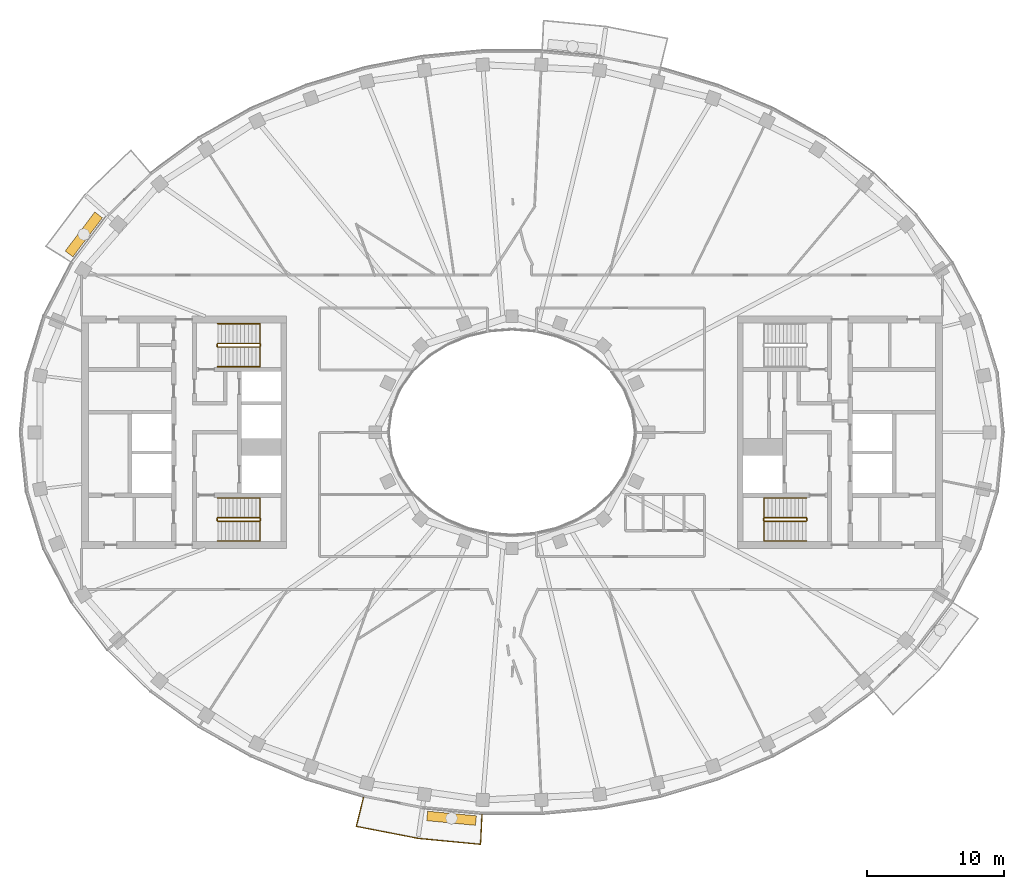
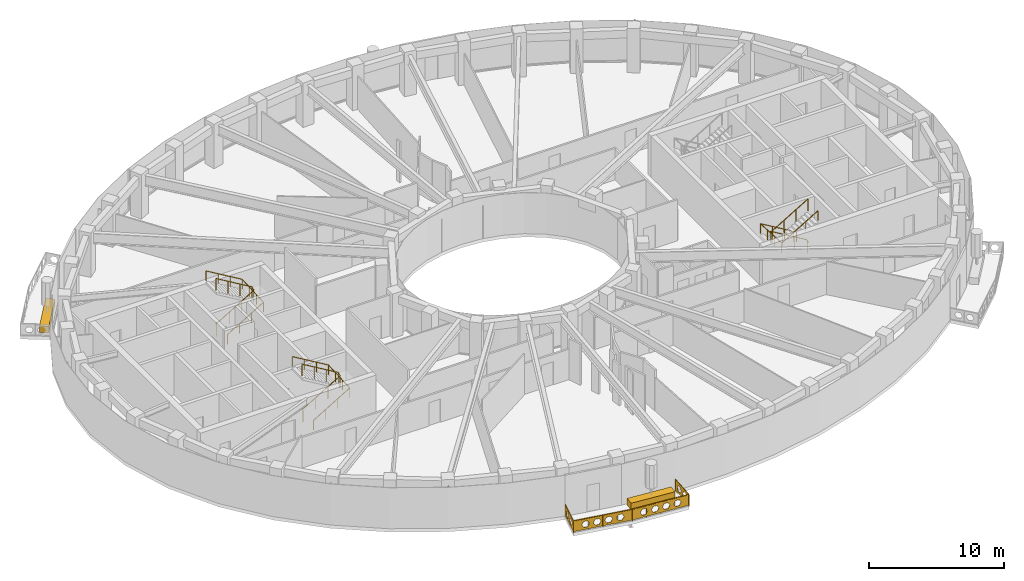
# One storey, part 14 of 16: 7 railings, 2 coverings.
"""IFC4 building model written with IfcOpenShell, lengths in metres."""

import ifcopenshell
import ifcopenshell.guid

model = None  # the IFC model being written
_history = None  # IfcOwnerHistory: only IFC2X3 demands one
_inside = {}  # id of a spatial element -> (the spatial element, [elements in it])
_under = {}  # id of a project, library or spatial element -> (it, [spatial elements below it])
_declared = {}  # id of a project -> (the project, [libraries it declares])
_typed = {}  # id of a type object -> (the type object, [elements of that type])
_made_of = {}  # id of a material, layer set ... -> (it, [elements and type objects made of it])


def new_model(schema):
    """Start an empty IFC model of exactly this schema.

    Asked for "IFC4X3", IfcOpenShell would pick the latest addendum, in which some entities
    have other attributes; the version numbers below select the first issue.
    IFC2X3 requires an IfcOwnerHistory on every rooted entity: one is made here for all.
    """
    global model, _history
    if schema == "IFC4X3":
        model = ifcopenshell.file(schema_version=(4, 3, 0, 0))
    else:
        model = ifcopenshell.file(schema=schema)
    _inside.clear()
    _under.clear()
    _declared.clear()
    _typed.clear()
    _made_of.clear()
    _history = None
    if model.schema == "IFC2X3":
        org = make("IfcOrganization", Name="unknown")
        user = make(
            "IfcPersonAndOrganization",
            ThePerson=make("IfcPerson", FamilyName="unknown"),
            TheOrganization=org,
        )
        app = make(
            "IfcApplication",
            ApplicationDeveloper=org,
            Version="unknown",
            ApplicationFullName="unknown",
            ApplicationIdentifier="unknown",
        )
        _history = make(
            "IfcOwnerHistory",
            OwningUser=user,
            OwningApplication=app,
            ChangeAction="ADDED",
            CreationDate=0,
        )
    return model


def make(cls, **values):
    """One entity of the class cls with the attributes given. An attribute that is None is left unset."""
    return model.create_entity(
        cls, **{name: value for name, value in values.items() if value is not None}
    )


def rooted(cls, **values):
    """An entity with a GlobalId (a new one), such as an element, a storey or a relation."""
    return make(cls, GlobalId=ifcopenshell.guid.new(), OwnerHistory=_history, **values)


def si_unit(unit_type, name, prefix=None):
    """IfcSIUnit, for example si_unit("LENGTHUNIT", "METRE", prefix="MILLI")."""
    return make("IfcSIUnit", UnitType=unit_type, Prefix=prefix, Name=name)


def assignment(units):
    """IfcUnitAssignment: the units of a project."""
    return None if units is None else make("IfcUnitAssignment", Units=units)


def point(xyz):
    """IfcCartesianPoint."""
    return None if xyz is None else make("IfcCartesianPoint", Coordinates=xyz)


def direction(xyz):
    """IfcDirection."""
    return None if xyz is None else make("IfcDirection", DirectionRatios=xyz)


def frame(location, z_axis=None, x_axis=None):
    """IfcAxis2Placement3D, a coordinate frame: its origin and axes. An axis left out is left unset."""
    return make(
        "IfcAxis2Placement3D",
        Location=point(location),
        Axis=direction(z_axis),
        RefDirection=direction(x_axis),
    )


def frame_2d(location, x_axis=None):
    """IfcAxis2Placement2D, a coordinate frame in the plane: its origin and x axis."""
    return make(
        "IfcAxis2Placement2D", Location=point(location), RefDirection=direction(x_axis)
    )


def origin():
    """The frame at (0, 0, 0) with its axes left unset."""
    return frame((0.0, 0.0, 0.0))


def origin_2d():
    """The frame at (0, 0) in the plane with its x axis left unset."""
    return frame_2d((0.0, 0.0))


def place(relative_to, where):
    """IfcLocalPlacement: puts the frame where relative to a parent placement (None: the world)."""
    return make(
        "IfcLocalPlacement", PlacementRelTo=relative_to, RelativePlacement=where
    )


def context(
    kind, dimensions, precision=None, world=None, true_north=None, identifier=None
):
    """IfcGeometricRepresentationContext, for example the 3D "Model" context."""
    return make(
        "IfcGeometricRepresentationContext",
        ContextIdentifier=identifier,
        ContextType=kind,
        CoordinateSpaceDimension=dimensions,
        Precision=precision,
        WorldCoordinateSystem=world,
        TrueNorth=true_north,
    )


def subcontext(parent, identifier, kind, view, scale=None):
    """IfcGeometricRepresentationSubContext, for example "Body" below "Model"."""
    return make(
        "IfcGeometricRepresentationSubContext",
        ContextIdentifier=identifier,
        ContextType=kind,
        ParentContext=parent,
        TargetScale=scale,
        TargetView=view,
    )


def project(units=None, contexts=None):
    """IfcProject with its units and contexts."""
    return rooted(
        "IfcProject",
        Name="project",
        RepresentationContexts=contexts,
        UnitsInContext=assignment(units),
    )


def spatial(cls, under=None, at=None, **own):
    """A site, building, storey or space (cls), placed at a placement, below another one or the project."""
    s = rooted(cls, ObjectPlacement=at, **own)
    if under is not None:
        _under.setdefault(under.id(), (under, []))[1].append(s)
    return s


def polyline(points):
    """IfcPolyline through the points."""
    return make("IfcPolyline", Points=[point(p) for p in points])


def profile(cls, at=None, kind="AREA", **sizes):
    """A parametric profile (cls). Its sizes go by their IFC names, for example OverallWidth=200.0."""
    return make(cls, ProfileType=kind, Position=at, **sizes)


def rectangle(**sizes):
    """IfcRectangleProfileDef."""
    return profile("IfcRectangleProfileDef", **sizes)


def outline(outer, holes=None, kind="AREA"):
    """IfcArbitraryClosedProfileDef: a profile drawn as a closed curve; with holes, ...WithVoids."""
    if holes is None:
        return make("IfcArbitraryClosedProfileDef", ProfileType=kind, OuterCurve=outer)
    return make(
        "IfcArbitraryProfileDefWithVoids",
        ProfileType=kind,
        OuterCurve=outer,
        InnerCurves=holes,
    )


def extrude(swept, where, along, depth):
    """IfcExtrudedAreaSolid: the profile swept, set in the frame where, extruded along a direction by depth."""
    return make(
        "IfcExtrudedAreaSolid",
        SweptArea=swept,
        Position=where,
        ExtrudedDirection=direction(along),
        Depth=depth,
    )


def shape(context_of_items, identifier, shape_type, items):
    """IfcShapeRepresentation: the items that make up one representation, for example the "Body"."""
    return make(
        "IfcShapeRepresentation",
        ContextOfItems=context_of_items,
        RepresentationIdentifier=identifier,
        RepresentationType=shape_type,
        Items=items,
    )


def material(Name=None, Category=None):
    """IfcMaterial."""
    return make("IfcMaterial", Name=Name, Category=Category)


def made_of(thing, what):
    """Note that an element or type object is made of a material, layer set ...; save() writes the relation."""
    if what is not None:
        _made_of.setdefault(what.id(), (what, []))[1].append(thing)
    return thing


def type_object(cls, material=None, **own):
    """A type object (cls), such as IfcWallType, which elements share."""
    return made_of(rooted(cls, **own), material)


def element(
    cls,
    number,
    at=None,
    inside=None,
    cuts=None,
    type_object=None,
    material=None,
    context=None,
    identifier="Body",
    shape_type=None,
    held_by="IfcProductDefinitionShape",
    body=None,
    shapes=None,
    **own,
):
    """One element of the class cls, such as IfcWall. Its Tag is "e" and its number.

    at: its placement. inside: the storey or other place that contains it. cuts: it is an
    opening in that element (IfcRelVoidsElement). A single representation is given by context,
    identifier, shape_type and body (its items); several are given by shapes. held_by: the class
    of the entity that holds the representations. save() writes the other relations.
    """
    e = rooted(cls, Tag="e%d" % number, ObjectPlacement=at, **own)
    if body is not None:
        shapes = [shape(context, identifier, shape_type, body)]
    if shapes is not None:
        e.Representation = make(held_by, Representations=shapes)
    if inside is not None:
        _inside.setdefault(inside.id(), (inside, []))[1].append(e)
    if cuts is not None:
        rooted(
            "IfcRelVoidsElement", RelatingBuildingElement=cuts, RelatedOpeningElement=e
        )
    if type_object is not None:
        _typed.setdefault(type_object.id(), (type_object, []))[1].append(e)
    return made_of(e, material)


def aggregate(whole, parts):
    """IfcRelAggregates: a whole, such as a stair, and the parts it consists of."""
    return rooted("IfcRelAggregates", RelatingObject=whole, RelatedObjects=parts)


def save(model, path):
    """Write the relations noted so far, then the file.

    IfcRelAggregates (storeys below a building ...), IfcRelContainedInSpatialStructure (elements
    in a storey), IfcRelDefinesByType, IfcRelAssociatesMaterial and IfcRelDeclares: one each for
    every whole, place, type object, material and project.
    """
    for whole, parts in _under.values():
        aggregate(whole, parts)
    for where, things in _inside.values():
        rooted(
            "IfcRelContainedInSpatialStructure",
            RelatedElements=things,
            RelatingStructure=where,
        )
    for kind, things in _typed.values():
        rooted("IfcRelDefinesByType", RelatedObjects=things, RelatingType=kind)
    for what, things in _made_of.values():
        rooted("IfcRelAssociatesMaterial", RelatedObjects=things, RelatingMaterial=what)
    for by, libraries in _declared.values():
        rooted("IfcRelDeclares", RelatingContext=by, RelatedDefinitions=libraries)
    model.write(path)


model = new_model("IFC4")

# Units and contexts
model_context = context("Model", 3, precision=1e-05, world=origin(), true_north=direction((0.0, 1.0)))
body_context = subcontext(model_context, "Body", "Model", "MODEL_VIEW")
ifc_project = project(units=[si_unit("LENGTHUNIT", "METRE"), si_unit("AREAUNIT", "SQUARE_METRE"), si_unit("VOLUMEUNIT", "CUBIC_METRE"), si_unit("PLANEANGLEUNIT", "RADIAN"), si_unit("MASSUNIT", "GRAM", prefix="KILO")], contexts=[model_context])

# Site, building, storey
site_placement = place(None, origin())
site = spatial("IfcSite", under=ifc_project, at=site_placement, CompositionType="ELEMENT")
building_placement = place(site_placement, origin())
building = spatial("IfcBuilding", under=site, at=building_placement, Name="Noorbagh Ring Tower", CompositionType="ELEMENT")
storey_placement = place(building_placement, frame((0.0, 0.0, 315.0)))
storey = spatial("IfcBuildingStorey", under=building, at=storey_placement, Name="L68", CompositionType="ELEMENT", Elevation=315.0)

# Railings
ifc_material_1 = material(Name="Stainless steel", Category="steel")
railing_type_1 = type_object("IfcRailingType", Name="CORE-STAIR-GUARD", PredefinedType="GUARDRAIL", material=ifc_material_1)
railing_1_placement = place(storey_placement, frame((-21.580078125, 6.300048828125, 0.0)))
element("IfcRailing", 1, at=railing_1_placement, inside=storey, type_object=railing_type_1, Name="L68 ST1 stair guard", PredefinedType="GUARDRAIL", context=body_context, shape_type="SweptSolid", body=[
    extrude(rectangle(XDim=0.048095703125, YDim=0.048095703125, at=origin_2d()), frame((0.0, 0.0, 1.076171875), z_axis=(0.0, 1.0, 0.0), x_axis=(-1.0, 0.0, 0.0)), (0.0, 0.0, 1.0), 0.14990234375),
    extrude(rectangle(XDim=0.048095703125, YDim=0.048095703125, at=origin_2d()), frame((0.0, 0.14990234375, 1.076171875), z_axis=(0.188775798145, -0.754182335027, 0.628945707965), x_axis=(0.970072785993, 0.242814311512, 0.0)), (0.0, 0.0, 1.0), 0.26513671875),
    extrude(rectangle(XDim=0.048095703125, YDim=0.048095703125, at=origin_2d()), frame((0.050048828125, -0.050048828125, 1.24267578125), z_axis=(0.859308565015, 0.0, 0.511457515432), x_axis=(0.0, 1.0, 0.0)), (0.0, 0.0, 1.0), 3.58447265625),
    extrude(rectangle(XDim=0.048095703125, YDim=0.048095703125, at=origin_2d()), frame((3.130126953125, -0.050048828125, 3.076171875), z_axis=(0.707106781187, 0.707106781187, 0.0), x_axis=(-0.707106781187, 0.707106781187, 0.0)), (0.0, 0.0, 1.0), 0.07080078125),
    extrude(rectangle(XDim=0.048095703125, YDim=0.048095703125, at=origin_2d()), frame((3.18017578125, 0.0, 3.076171875), z_axis=(0.0, 1.0, 0.0), x_axis=(-1.0, 0.0, 0.0)), (0.0, 0.0, 1.0), 0.14990234375),
    extrude(rectangle(XDim=0.048095703125, YDim=0.048095703125, at=origin_2d()), frame((3.18017578125, 0.14990234375, 3.076171875), z_axis=(-0.27628659633, 0.27628659633, 0.920506074601), x_axis=(-0.707106781187, -0.707106781187, 0.0)), (0.0, 0.0, 1.0), 0.18115234375),
    extrude(rectangle(XDim=0.048095703125, YDim=0.048095703125, at=origin_2d()), frame((3.130126953125, 0.199951171875, 3.24267578125), z_axis=(-0.859308565015, 0.0, 0.511457515432), x_axis=(0.0, -1.0, 0.0)), (0.0, 0.0, 1.0), 3.58447265625),
    extrude(rectangle(XDim=0.0419921875, YDim=0.0419921875, at=origin_2d()), origin(), (0.0, 0.0, 1.0), 1.052001953125),
    extrude(rectangle(XDim=0.0419921875, YDim=0.0419921875, at=origin_2d()), frame((1.07666015625, -0.050048828125, 0.77783203125)), (0.0, 0.0, 1.0), 1.052001953125),
    extrude(rectangle(XDim=0.0419921875, YDim=0.0419921875, at=origin_2d()), frame((2.103515625, -0.050048828125, 1.388916015625)), (0.0, 0.0, 1.0), 1.052001953125),
    extrude(rectangle(XDim=0.0419921875, YDim=0.0419921875, at=origin_2d()), frame((3.130126953125, -0.050048828125, 2.0)), (0.0, 0.0, 1.0), 1.052001953125),
    extrude(rectangle(XDim=0.0419921875, YDim=0.0419921875, at=origin_2d()), frame((3.130126953125, 0.199951171875, 2.166748046875)), (0.0, 0.0, 1.0), 1.052001953125),
    extrude(rectangle(XDim=0.0419921875, YDim=0.0419921875, at=origin_2d()), frame((2.103515625, 0.199951171875, 2.77783203125)), (0.0, 0.0, 1.0), 1.052001953125),
    extrude(rectangle(XDim=0.0419921875, YDim=0.0419921875, at=origin_2d()), frame((1.07666015625, 0.199951171875, 3.388916015625)), (0.0, 0.0, 1.0), 1.052001953125),
    extrude(rectangle(XDim=0.0419921875, YDim=0.0419921875, at=origin_2d()), frame((0.050048828125, 0.199951171875, 4.0)), (0.0, 0.0, 1.0), 1.052001953125),
])
railing_2_placement = place(storey_placement, frame((-21.580078125, -6.449951171875, 0.0)))
element("IfcRailing", 2, at=railing_2_placement, inside=storey, type_object=railing_type_1, Name="L68 ST2 stair guard", PredefinedType="GUARDRAIL", context=body_context, shape_type="SweptSolid", body=[
    extrude(rectangle(XDim=0.048095703125, YDim=0.048095703125, at=origin_2d()), frame((0.0, 0.0, 1.076171875), z_axis=(0.0, 1.0, 0.0), x_axis=(-1.0, 0.0, 0.0)), (0.0, 0.0, 1.0), 0.14990234375),
    extrude(rectangle(XDim=0.048095703125, YDim=0.048095703125, at=origin_2d()), frame((0.0, 0.14990234375, 1.076171875), z_axis=(0.188775798145, -0.754182335027, 0.628945707965), x_axis=(0.970072785993, 0.242814311512, 0.0)), (0.0, 0.0, 1.0), 0.26513671875),
    extrude(rectangle(XDim=0.048095703125, YDim=0.048095703125, at=origin_2d()), frame((0.050048828125, -0.050048828125, 1.24267578125), z_axis=(0.859308565015, 0.0, 0.511457515432), x_axis=(0.0, 1.0, 0.0)), (0.0, 0.0, 1.0), 3.58447265625),
    extrude(rectangle(XDim=0.048095703125, YDim=0.048095703125, at=origin_2d()), frame((3.130126953125, -0.050048828125, 3.076171875), z_axis=(0.707106781187, 0.707106781187, 0.0), x_axis=(-0.707106781187, 0.707106781187, 0.0)), (0.0, 0.0, 1.0), 0.07080078125),
    extrude(rectangle(XDim=0.048095703125, YDim=0.048095703125, at=origin_2d()), frame((3.18017578125, 0.0, 3.076171875), z_axis=(0.0, 1.0, 0.0), x_axis=(-1.0, 0.0, 0.0)), (0.0, 0.0, 1.0), 0.14990234375),
    extrude(rectangle(XDim=0.048095703125, YDim=0.048095703125, at=origin_2d()), frame((3.18017578125, 0.14990234375, 3.076171875), z_axis=(-0.27628659633, 0.27628659633, 0.920506074601), x_axis=(-0.707106781187, -0.707106781187, 0.0)), (0.0, 0.0, 1.0), 0.18115234375),
    extrude(rectangle(XDim=0.048095703125, YDim=0.048095703125, at=origin_2d()), frame((3.130126953125, 0.199951171875, 3.24267578125), z_axis=(-0.859308565015, 0.0, 0.511457515432), x_axis=(0.0, -1.0, 0.0)), (0.0, 0.0, 1.0), 3.58447265625),
    extrude(rectangle(XDim=0.0419921875, YDim=0.0419921875, at=origin_2d()), origin(), (0.0, 0.0, 1.0), 1.052001953125),
    extrude(rectangle(XDim=0.0419921875, YDim=0.0419921875, at=origin_2d()), frame((1.07666015625, -0.050048828125, 0.77783203125)), (0.0, 0.0, 1.0), 1.052001953125),
    extrude(rectangle(XDim=0.0419921875, YDim=0.0419921875, at=origin_2d()), frame((2.103515625, -0.050048828125, 1.388916015625)), (0.0, 0.0, 1.0), 1.052001953125),
    extrude(rectangle(XDim=0.0419921875, YDim=0.0419921875, at=origin_2d()), frame((3.130126953125, -0.050048828125, 2.0)), (0.0, 0.0, 1.0), 1.052001953125),
    extrude(rectangle(XDim=0.0419921875, YDim=0.0419921875, at=origin_2d()), frame((3.130126953125, 0.199951171875, 2.166748046875)), (0.0, 0.0, 1.0), 1.052001953125),
    extrude(rectangle(XDim=0.0419921875, YDim=0.0419921875, at=origin_2d()), frame((2.103515625, 0.199951171875, 2.77783203125)), (0.0, 0.0, 1.0), 1.052001953125),
    extrude(rectangle(XDim=0.0419921875, YDim=0.0419921875, at=origin_2d()), frame((1.07666015625, 0.199951171875, 3.388916015625)), (0.0, 0.0, 1.0), 1.052001953125),
    extrude(rectangle(XDim=0.0419921875, YDim=0.0419921875, at=origin_2d()), frame((0.050048828125, 0.199951171875, 4.0)), (0.0, 0.0, 1.0), 1.052001953125),
])
railing_3_placement = place(storey_placement, frame((21.580078125, -6.300048828125, 0.0)))
element("IfcRailing", 3, at=railing_3_placement, inside=storey, type_object=railing_type_1, Name="L68 ST4 stair guard", PredefinedType="GUARDRAIL", context=body_context, shape_type="SweptSolid", body=[
    extrude(rectangle(XDim=0.048095703125, YDim=0.048095703125, at=origin_2d()), frame((0.0, 0.0, 1.076171875), z_axis=(0.0, -1.0, 0.0), x_axis=(1.0, 0.0, 0.0)), (0.0, 0.0, 1.0), 0.14990234375),
    extrude(rectangle(XDim=0.048095703125, YDim=0.048095703125, at=origin_2d()), frame((0.0, -0.14990234375, 1.076171875), z_axis=(-0.188775798145, 0.754182335027, 0.628945707965), x_axis=(-0.970072785993, -0.242814311512, 0.0)), (0.0, 0.0, 1.0), 0.26513671875),
    extrude(rectangle(XDim=0.048095703125, YDim=0.048095703125, at=origin_2d()), frame((-0.050048828125, 0.050048828125, 1.24267578125), z_axis=(-0.859308565015, 0.0, 0.511457515432), x_axis=(0.0, -1.0, 0.0)), (0.0, 0.0, 1.0), 3.58447265625),
    extrude(rectangle(XDim=0.048095703125, YDim=0.048095703125, at=origin_2d()), frame((-3.130126953125, 0.050048828125, 3.076171875), z_axis=(-0.707106781187, -0.707106781187, 0.0), x_axis=(0.707106781187, -0.707106781187, 0.0)), (0.0, 0.0, 1.0), 0.07080078125),
    extrude(rectangle(XDim=0.048095703125, YDim=0.048095703125, at=origin_2d()), frame((-3.18017578125, 0.0, 3.076171875), z_axis=(0.0, -1.0, 0.0), x_axis=(1.0, 0.0, 0.0)), (0.0, 0.0, 1.0), 0.14990234375),
    extrude(rectangle(XDim=0.048095703125, YDim=0.048095703125, at=origin_2d()), frame((-3.18017578125, -0.14990234375, 3.076171875), z_axis=(0.27628659633, -0.27628659633, 0.920506074601), x_axis=(0.707106781187, 0.707106781187, 0.0)), (0.0, 0.0, 1.0), 0.18115234375),
    extrude(rectangle(XDim=0.048095703125, YDim=0.048095703125, at=origin_2d()), frame((-3.130126953125, -0.199951171875, 3.24267578125), z_axis=(0.859308565015, 0.0, 0.511457515432), x_axis=(0.0, 1.0, 0.0)), (0.0, 0.0, 1.0), 3.58447265625),
    extrude(rectangle(XDim=0.0419921875, YDim=0.0419921875, at=origin_2d()), origin(), (0.0, 0.0, 1.0), 1.052001953125),
    extrude(rectangle(XDim=0.0419921875, YDim=0.0419921875, at=origin_2d()), frame((-1.07666015625, 0.050048828125, 0.77783203125)), (0.0, 0.0, 1.0), 1.052001953125),
    extrude(rectangle(XDim=0.0419921875, YDim=0.0419921875, at=origin_2d()), frame((-2.103515625, 0.050048828125, 1.388916015625)), (0.0, 0.0, 1.0), 1.052001953125),
    extrude(rectangle(XDim=0.0419921875, YDim=0.0419921875, at=origin_2d()), frame((-3.130126953125, 0.050048828125, 2.0)), (0.0, 0.0, 1.0), 1.052001953125),
    extrude(rectangle(XDim=0.0419921875, YDim=0.0419921875, at=origin_2d()), frame((-3.130126953125, -0.199951171875, 2.166748046875)), (0.0, 0.0, 1.0), 1.052001953125),
    extrude(rectangle(XDim=0.0419921875, YDim=0.0419921875, at=origin_2d()), frame((-2.103515625, -0.199951171875, 2.77783203125)), (0.0, 0.0, 1.0), 1.052001953125),
    extrude(rectangle(XDim=0.0419921875, YDim=0.0419921875, at=origin_2d()), frame((-1.07666015625, -0.199951171875, 3.388916015625)), (0.0, 0.0, 1.0), 1.052001953125),
    extrude(rectangle(XDim=0.0419921875, YDim=0.0419921875, at=origin_2d()), frame((-0.050048828125, -0.199951171875, 4.0)), (0.0, 0.0, 1.0), 1.052001953125),
])
ifc_material_2 = material(Name="Stainless steel", Category="steel")
railing_type_2 = type_object("IfcRailingType", Name="CORE-STAIR-HANDRAIL", PredefinedType="HANDRAIL", material=ifc_material_2)
railing_4_placement = place(storey_placement, frame((-21.530029296875, 4.800048828125, 0.166748046875)))
element("IfcRailing", 4, at=railing_4_placement, inside=storey, type_object=railing_type_2, Name="L68 ST1 stair handrail", PredefinedType="HANDRAIL", context=body_context, shape_type="SweptSolid", body=[
    extrude(rectangle(XDim=0.048095703125, YDim=0.048095703125, at=origin_2d()), frame((0.0, 0.0, 0.8759765625), z_axis=(0.859308565015, 0.0, 0.511457515432), x_axis=(0.0, 1.0, 0.0)), (0.0, 0.0, 1.0), 3.58447265625),
    extrude(rectangle(XDim=0.048095703125, YDim=0.048095703125, at=origin_2d()), frame((3.080078125, 0.0, 2.708984375), z_axis=(0.0, 0.998601747152, 0.052863509014), x_axis=(-1.0, 0.0, 0.0)), (0.0, 0.0, 1.0), 3.154296875),
    extrude(rectangle(XDim=0.048095703125, YDim=0.048095703125, at=origin_2d()), frame((3.080078125, 3.14990234375, 2.8759765625), z_axis=(-0.859308565015, 0.0, 0.511457515432), x_axis=(0.0, -1.0, 0.0)), (0.0, 0.0, 1.0), 3.58447265625),
    extrude(rectangle(XDim=0.0419921875, YDim=0.0419921875, at=origin_2d()), origin(), (0.0, 0.0, 1.0), 0.851806640625),
    extrude(rectangle(XDim=0.0419921875, YDim=0.0419921875, at=origin_2d()), frame((1.026611328125, 0.0, 0.611083984375)), (0.0, 0.0, 1.0), 0.851806640625),
    extrude(rectangle(XDim=0.0419921875, YDim=0.0419921875, at=origin_2d()), frame((2.053466796875, 0.0, 1.22216796875)), (0.0, 0.0, 1.0), 0.851806640625),
    extrude(rectangle(XDim=0.0419921875, YDim=0.0419921875, at=origin_2d()), frame((3.080078125, 0.0, 1.833251953125)), (0.0, 0.0, 1.0), 0.851806640625),
    extrude(rectangle(XDim=0.0419921875, YDim=0.0419921875, at=origin_2d()), frame((3.080078125, 1.050048828125, 1.888916015625)), (0.0, 0.0, 1.0), 0.851806640625),
    extrude(rectangle(XDim=0.0419921875, YDim=0.0419921875, at=origin_2d()), frame((3.080078125, 2.099853515625, 1.9443359375)), (0.0, 0.0, 1.0), 0.851806640625),
    extrude(rectangle(XDim=0.0419921875, YDim=0.0419921875, at=origin_2d()), frame((3.080078125, 3.14990234375, 2.0)), (0.0, 0.0, 1.0), 0.851806640625),
    extrude(rectangle(XDim=0.0419921875, YDim=0.0419921875, at=origin_2d()), frame((2.053466796875, 3.14990234375, 2.611083984375)), (0.0, 0.0, 1.0), 0.851806640625),
    extrude(rectangle(XDim=0.0419921875, YDim=0.0419921875, at=origin_2d()), frame((1.026611328125, 3.14990234375, 3.22216796875)), (0.0, 0.0, 1.0), 0.851806640625),
    extrude(rectangle(XDim=0.0419921875, YDim=0.0419921875, at=origin_2d()), frame((0.0, 3.14990234375, 3.833251953125)), (0.0, 0.0, 1.0), 0.851806640625),
])
railing_5_placement = place(storey_placement, frame((-21.530029296875, -7.949951171875, 0.166748046875)))
element("IfcRailing", 5, at=railing_5_placement, inside=storey, type_object=railing_type_2, Name="L68 ST2 stair handrail", PredefinedType="HANDRAIL", context=body_context, shape_type="SweptSolid", body=[
    extrude(rectangle(XDim=0.048095703125, YDim=0.048095703125, at=origin_2d()), frame((0.0, 0.0, 0.8759765625), z_axis=(0.859308565015, 0.0, 0.511457515432), x_axis=(0.0, 1.0, 0.0)), (0.0, 0.0, 1.0), 3.58447265625),
    extrude(rectangle(XDim=0.048095703125, YDim=0.048095703125, at=origin_2d()), frame((3.080078125, 0.0, 2.708984375), z_axis=(0.0, 0.998601747152, 0.052863509014), x_axis=(-1.0, 0.0, 0.0)), (0.0, 0.0, 1.0), 3.154296875),
    extrude(rectangle(XDim=0.048095703125, YDim=0.048095703125, at=origin_2d()), frame((3.080078125, 3.14990234375, 2.8759765625), z_axis=(-0.859308565015, 0.0, 0.511457515432), x_axis=(0.0, -1.0, 0.0)), (0.0, 0.0, 1.0), 3.58447265625),
    extrude(rectangle(XDim=0.0419921875, YDim=0.0419921875, at=origin_2d()), origin(), (0.0, 0.0, 1.0), 0.851806640625),
    extrude(rectangle(XDim=0.0419921875, YDim=0.0419921875, at=origin_2d()), frame((1.026611328125, 0.0, 0.611083984375)), (0.0, 0.0, 1.0), 0.851806640625),
    extrude(rectangle(XDim=0.0419921875, YDim=0.0419921875, at=origin_2d()), frame((2.053466796875, 0.0, 1.22216796875)), (0.0, 0.0, 1.0), 0.851806640625),
    extrude(rectangle(XDim=0.0419921875, YDim=0.0419921875, at=origin_2d()), frame((3.080078125, 0.0, 1.833251953125)), (0.0, 0.0, 1.0), 0.851806640625),
    extrude(rectangle(XDim=0.0419921875, YDim=0.0419921875, at=origin_2d()), frame((3.080078125, 1.050048828125, 1.888916015625)), (0.0, 0.0, 1.0), 0.851806640625),
    extrude(rectangle(XDim=0.0419921875, YDim=0.0419921875, at=origin_2d()), frame((3.080078125, 2.099853515625, 1.9443359375)), (0.0, 0.0, 1.0), 0.851806640625),
    extrude(rectangle(XDim=0.0419921875, YDim=0.0419921875, at=origin_2d()), frame((3.080078125, 3.14990234375, 2.0)), (0.0, 0.0, 1.0), 0.851806640625),
    extrude(rectangle(XDim=0.0419921875, YDim=0.0419921875, at=origin_2d()), frame((2.053466796875, 3.14990234375, 2.611083984375)), (0.0, 0.0, 1.0), 0.851806640625),
    extrude(rectangle(XDim=0.0419921875, YDim=0.0419921875, at=origin_2d()), frame((1.026611328125, 3.14990234375, 3.22216796875)), (0.0, 0.0, 1.0), 0.851806640625),
    extrude(rectangle(XDim=0.0419921875, YDim=0.0419921875, at=origin_2d()), frame((0.0, 3.14990234375, 3.833251953125)), (0.0, 0.0, 1.0), 0.851806640625),
])
railing_6_placement = place(storey_placement, frame((21.530029296875, -4.800048828125, 0.166748046875)))
element("IfcRailing", 6, at=railing_6_placement, inside=storey, type_object=railing_type_2, Name="L68 ST4 stair handrail", PredefinedType="HANDRAIL", context=body_context, shape_type="SweptSolid", body=[
    extrude(rectangle(XDim=0.048095703125, YDim=0.048095703125, at=origin_2d()), frame((0.0, 0.0, 0.8759765625), z_axis=(-0.859308565015, 0.0, 0.511457515432), x_axis=(0.0, -1.0, 0.0)), (0.0, 0.0, 1.0), 3.58447265625),
    extrude(rectangle(XDim=0.048095703125, YDim=0.048095703125, at=origin_2d()), frame((-3.080078125, 0.0, 2.708984375), z_axis=(0.0, -0.998601747152, 0.052863509014), x_axis=(1.0, 0.0, 0.0)), (0.0, 0.0, 1.0), 3.154296875),
    extrude(rectangle(XDim=0.048095703125, YDim=0.048095703125, at=origin_2d()), frame((-3.080078125, -3.14990234375, 2.8759765625), z_axis=(0.859308565015, 0.0, 0.511457515432), x_axis=(0.0, 1.0, 0.0)), (0.0, 0.0, 1.0), 3.58447265625),
    extrude(rectangle(XDim=0.0419921875, YDim=0.0419921875, at=origin_2d()), origin(), (0.0, 0.0, 1.0), 0.851806640625),
    extrude(rectangle(XDim=0.0419921875, YDim=0.0419921875, at=origin_2d()), frame((-1.026611328125, 0.0, 0.611083984375)), (0.0, 0.0, 1.0), 0.851806640625),
    extrude(rectangle(XDim=0.0419921875, YDim=0.0419921875, at=origin_2d()), frame((-2.053466796875, 0.0, 1.22216796875)), (0.0, 0.0, 1.0), 0.851806640625),
    extrude(rectangle(XDim=0.0419921875, YDim=0.0419921875, at=origin_2d()), frame((-3.080078125, 0.0, 1.833251953125)), (0.0, 0.0, 1.0), 0.851806640625),
    extrude(rectangle(XDim=0.0419921875, YDim=0.0419921875, at=origin_2d()), frame((-3.080078125, -1.050048828125, 1.888916015625)), (0.0, 0.0, 1.0), 0.851806640625),
    extrude(rectangle(XDim=0.0419921875, YDim=0.0419921875, at=origin_2d()), frame((-3.080078125, -2.099853515625, 1.9443359375)), (0.0, 0.0, 1.0), 0.851806640625),
    extrude(rectangle(XDim=0.0419921875, YDim=0.0419921875, at=origin_2d()), frame((-3.080078125, -3.14990234375, 2.0)), (0.0, 0.0, 1.0), 0.851806640625),
    extrude(rectangle(XDim=0.0419921875, YDim=0.0419921875, at=origin_2d()), frame((-2.053466796875, -3.14990234375, 2.611083984375)), (0.0, 0.0, 1.0), 0.851806640625),
    extrude(rectangle(XDim=0.0419921875, YDim=0.0419921875, at=origin_2d()), frame((-1.026611328125, -3.14990234375, 3.22216796875)), (0.0, 0.0, 1.0), 0.851806640625),
    extrude(rectangle(XDim=0.0419921875, YDim=0.0419921875, at=origin_2d()), frame((0.0, -3.14990234375, 3.833251953125)), (0.0, 0.0, 1.0), 0.851806640625),
])
ifc_material_3 = material(Name="Steel S275 black powder-coated", Category="steel")
railing_type_3 = type_object("IfcRailingType", Name="ENV-GUARD", PredefinedType="GUARDRAIL", material=ifc_material_3)
railing_7_placement = place(storey_placement, frame((-10.865234375, -26.6943359375, 0.0)))
element("IfcRailing", 7, at=railing_7_placement, inside=storey, type_object=railing_type_3, Name="Balcony guard BS03", PredefinedType="GUARDRAIL", context=body_context, shape_type="SweptSolid", body=[
    extrude(rectangle(XDim=0.048095703125, YDim=0.048095703125, at=origin_2d()), frame((0.0, 0.0, 1.076171875), z_axis=(-0.239848558412, -0.970810315679, 0.0), x_axis=(0.970810315679, -0.239848558412, 0.0)), (0.0, 0.0, 1.0), 2.20263671875),
    extrude(rectangle(XDim=0.048095703125, YDim=0.048095703125, at=origin_2d()), frame((-0.5283203125, -2.138427734375, 1.076171875), z_axis=(0.981625049064, -0.1908199755, 0.0), x_axis=(0.1908199755, 0.981625049064, 0.0)), (0.0, 0.0, 1.0), 4.603271484375),
    extrude(rectangle(XDim=0.048095703125, YDim=0.048095703125, at=origin_2d()), frame((3.990478515625, -3.016845703125, 1.076171875), z_axis=(0.995477555764, -0.094997031379, 0.0), x_axis=(0.094997031379, 0.995477555764, 0.0)), (0.0, 0.0, 1.0), 4.59765625),
    extrude(rectangle(XDim=0.048095703125, YDim=0.048095703125, at=origin_2d()), frame((8.5673828125, -3.45361328125, 1.076171875), z_axis=(0.047554616162, 0.998868639252, 0.0), x_axis=(-0.998868639252, 0.047554616162, 0.0)), (0.0, 0.0, 1.0), 2.202392578125),
    extrude(rectangle(XDim=0.0419921875, YDim=0.0419921875, at=origin_2d()), origin(), (0.0, 0.0, 1.0), 1.052001953125),
    extrude(rectangle(XDim=0.0419921875, YDim=0.0419921875, at=origin_2d()), frame((-0.26416015625, -1.0693359375, 0.0)), (0.0, 0.0, 1.0), 1.052001953125),
    extrude(rectangle(XDim=0.0419921875, YDim=0.0419921875, at=origin_2d()), frame((-0.5283203125, -2.138427734375, 0.0)), (0.0, 0.0, 1.0), 1.052001953125),
    extrude(rectangle(XDim=0.0419921875, YDim=0.0419921875, at=origin_2d()), frame((0.601318359375, -2.35791015625, 0.0)), (0.0, 0.0, 1.0), 1.052001953125),
    extrude(rectangle(XDim=0.0419921875, YDim=0.0419921875, at=origin_2d()), frame((1.73095703125, -2.57763671875, 0.0)), (0.0, 0.0, 1.0), 1.052001953125),
    extrude(rectangle(XDim=0.0419921875, YDim=0.0419921875, at=origin_2d()), frame((2.86083984375, -2.79736328125, 0.0)), (0.0, 0.0, 1.0), 1.052001953125),
    extrude(rectangle(XDim=0.0419921875, YDim=0.0419921875, at=origin_2d()), frame((3.990478515625, -3.016845703125, 0.0)), (0.0, 0.0, 1.0), 1.052001953125),
    extrude(rectangle(XDim=0.0419921875, YDim=0.0419921875, at=origin_2d()), frame((5.134765625, -3.1259765625, 0.0)), (0.0, 0.0, 1.0), 1.052001953125),
    extrude(rectangle(XDim=0.0419921875, YDim=0.0419921875, at=origin_2d()), frame((6.27880859375, -3.2353515625, 0.0)), (0.0, 0.0, 1.0), 1.052001953125),
    extrude(rectangle(XDim=0.0419921875, YDim=0.0419921875, at=origin_2d()), frame((7.423095703125, -3.344482421875, 0.0)), (0.0, 0.0, 1.0), 1.052001953125),
    extrude(rectangle(XDim=0.0419921875, YDim=0.0419921875, at=origin_2d()), frame((8.5673828125, -3.45361328125, 0.0)), (0.0, 0.0, 1.0), 1.052001953125),
    extrude(rectangle(XDim=0.0419921875, YDim=0.0419921875, at=origin_2d()), frame((8.61962890625, -2.353515625, 0.0)), (0.0, 0.0, 1.0), 1.052001953125),
    extrude(rectangle(XDim=0.0419921875, YDim=0.0419921875, at=origin_2d()), frame((8.672119140625, -1.253662109375, 0.0)), (0.0, 0.0, 1.0), 1.052001953125),
    extrude(outline(polyline([(0.0, 0.10009765625), (2.20263671875, 0.10009765625), (2.20263671875, 1.031982421875), (0.0, 1.031982421875), (0.0, 0.10009765625)]), holes=[polyline([(0.96142578125, 0.56591796875), (0.806396484375, 0.83447265625), (0.496337890625, 0.83447265625), (0.34130859375, 0.56591796875), (0.496337890625, 0.297607421875), (0.806396484375, 0.297607421875), (0.96142578125, 0.56591796875)]), polyline([(1.861328125, 0.56591796875), (1.706298828125, 0.83447265625), (1.396240234375, 0.83447265625), (1.241455078125, 0.56591796875), (1.396240234375, 0.297607421875), (1.706298828125, 0.297607421875), (1.861328125, 0.56591796875)])]), frame((0.009765625, -0.00244140625, 0.0), z_axis=(-0.970810315679, 0.239848558412, 0.0), x_axis=(-0.239848558412, -0.970810315679, 0.0)), (0.0, 0.0, 1.0), 0.02001953125),
    extrude(outline(polyline([(0.0, 0.10009765625), (4.603271484375, 0.10009765625), (4.603271484375, 1.031982421875), (0.0, 1.031982421875), (0.0, 0.10009765625)]), holes=[polyline([(1.26171875, 0.56591796875), (1.106689453125, 0.83447265625), (0.796630859375, 0.83447265625), (0.6416015625, 0.56591796875), (0.796630859375, 0.297607421875), (1.106689453125, 0.297607421875), (1.26171875, 0.56591796875)]), polyline([(2.16162109375, 0.56591796875), (2.006591796875, 0.83447265625), (1.69677734375, 0.83447265625), (1.541748046875, 0.56591796875), (1.69677734375, 0.297607421875), (2.006591796875, 0.297607421875), (2.16162109375, 0.56591796875)]), polyline([(3.061767578125, 0.56591796875), (2.90673828125, 0.83447265625), (2.5966796875, 0.83447265625), (2.441650390625, 0.56591796875), (2.5966796875, 0.297607421875), (2.90673828125, 0.297607421875), (3.061767578125, 0.56591796875)]), polyline([(3.961669921875, 0.56591796875), (3.806640625, 0.83447265625), (3.49658203125, 0.83447265625), (3.341796875, 0.56591796875), (3.49658203125, 0.297607421875), (3.806640625, 0.297607421875), (3.961669921875, 0.56591796875)])]), frame((-0.5263671875, -2.128662109375, 0.0), z_axis=(-0.1908199755, -0.981625049064, 0.0), x_axis=(0.981625049064, -0.1908199755, 0.0)), (0.0, 0.0, 1.0), 0.02001953125),
    extrude(outline(polyline([(0.0, 0.10009765625), (4.59765625, 0.10009765625), (4.59765625, 1.031982421875), (0.0, 1.031982421875), (0.0, 0.10009765625)]), holes=[polyline([(1.2587890625, 0.56591796875), (1.103759765625, 0.83447265625), (0.7939453125, 0.83447265625), (0.638916015625, 0.56591796875), (0.7939453125, 0.297607421875), (1.103759765625, 0.297607421875), (1.2587890625, 0.56591796875)]), polyline([(2.158935546875, 0.56591796875), (2.00390625, 0.83447265625), (1.69384765625, 0.83447265625), (1.538818359375, 0.56591796875), (1.69384765625, 0.297607421875), (2.00390625, 0.297607421875), (2.158935546875, 0.56591796875)]), polyline([(3.058837890625, 0.56591796875), (2.90380859375, 0.83447265625), (2.59375, 0.83447265625), (2.43896484375, 0.56591796875), (2.59375, 0.297607421875), (2.90380859375, 0.297607421875), (3.058837890625, 0.56591796875)]), polyline([(3.958740234375, 0.56591796875), (3.803955078125, 0.83447265625), (3.493896484375, 0.83447265625), (3.3388671875, 0.56591796875), (3.493896484375, 0.297607421875), (3.803955078125, 0.297607421875), (3.958740234375, 0.56591796875)])]), frame((3.991455078125, -3.0068359375, 0.0), z_axis=(-0.094997031379, -0.995477555764, 0.0), x_axis=(0.995477555764, -0.094997031379, 0.0)), (0.0, 0.0, 1.0), 0.02001953125),
    extrude(outline(polyline([(0.0, 0.10009765625), (2.202392578125, 0.10009765625), (2.202392578125, 1.031982421875), (0.0, 1.031982421875), (0.0, 0.10009765625)]), holes=[polyline([(0.961181640625, 0.56591796875), (0.80615234375, 0.83447265625), (0.496337890625, 0.83447265625), (0.34130859375, 0.56591796875), (0.496337890625, 0.297607421875), (0.80615234375, 0.297607421875), (0.961181640625, 0.56591796875)]), polyline([(1.861328125, 0.56591796875), (1.706298828125, 0.83447265625), (1.396240234375, 0.83447265625), (1.2412109375, 0.56591796875), (1.396240234375, 0.297607421875), (1.706298828125, 0.297607421875), (1.861328125, 0.56591796875)])]), frame((8.557373046875, -3.453125, 0.0), z_axis=(0.998868639252, -0.047554616162, 0.0), x_axis=(0.047554616162, 0.998868639252, 0.0)), (0.0, 0.0, 1.0), 0.02001953125),
])

# Coverings
ifc_material_4 = material(Name="Concrete C30/37 planter with soil", Category="concrete")
covering_type = type_object("IfcCoveringType", Name="ENV-PLANTER", PredefinedType="CLADDING", material=ifc_material_4)
covering_1_placement = place(storey_placement, frame((-31.329833984375, 14.4833984375, 0.0), z_axis=(0.0, 0.0, 1.0), x_axis=(-0.604020184358, -0.796969018776, 0.0)))
element("IfcCovering", 8, at=covering_1_placement, inside=storey, type_object=covering_type, Name="PLANTER BN06", ObjectType="PLANTER", PredefinedType="CLADDING", context=body_context, shape_type="SweptSolid", body=[
    extrude(rectangle(XDim=3.583251953125, YDim=0.699951171875, at=origin_2d()), origin(), (0.0, 0.0, 1.0), 0.60009765625),
])
covering_2_placement = place(storey_placement, frame((-4.423828125, -28.2373046875, 0.0), z_axis=(0.0, 0.0, 1.0), x_axis=(0.995476497323, -0.095008122171, 0.0)))
element("IfcCovering", 9, at=covering_2_placement, inside=storey, type_object=covering_type, Name="PLANTER BS03", ObjectType="PLANTER", PredefinedType="CLADDING", context=body_context, shape_type="SweptSolid", body=[
    extrude(rectangle(XDim=3.58642578125, YDim=0.699951171875, at=origin_2d()), origin(), (0.0, 0.0, 1.0), 0.60009765625),
])

save(model, "model.ifc")
